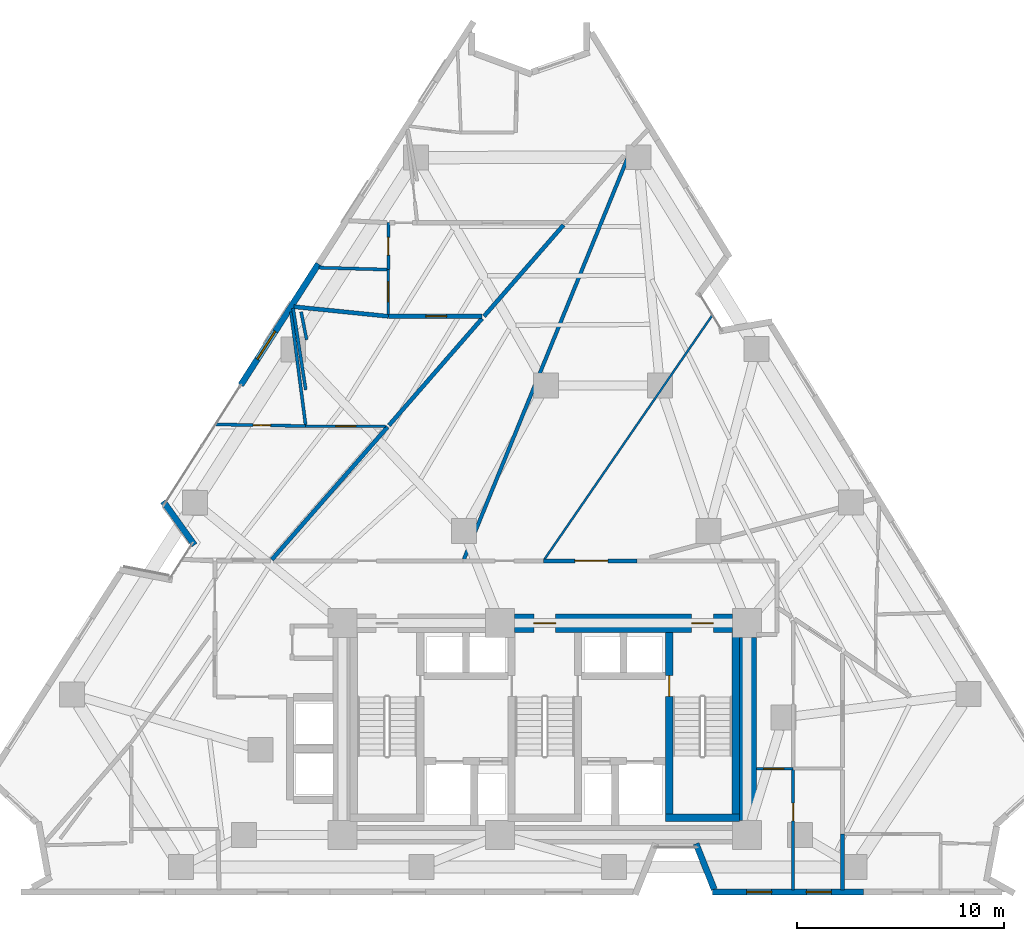
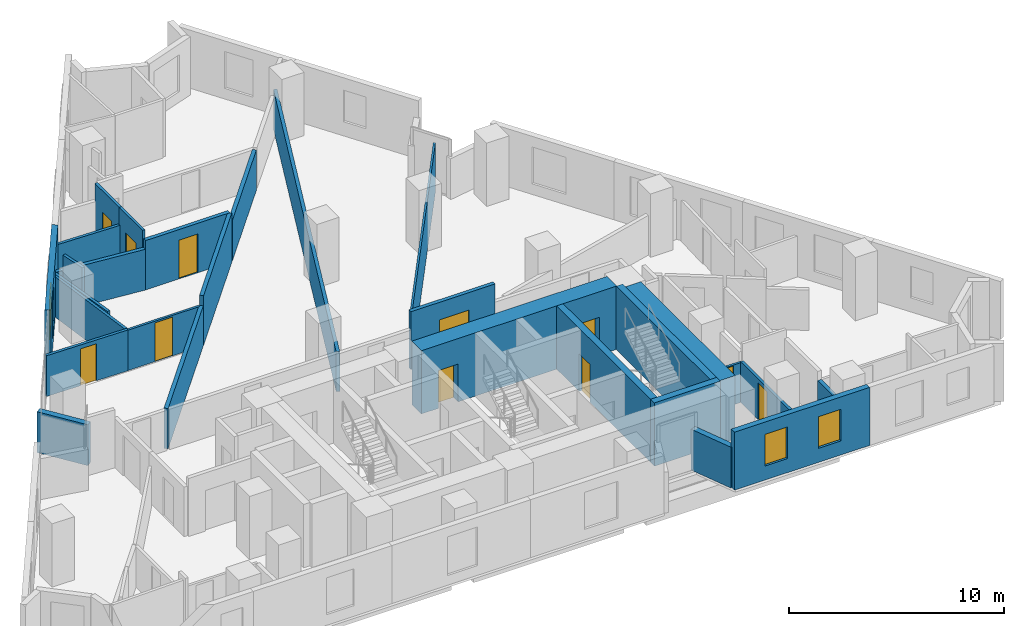
# One storey, part 8 of 13: 28 walls, 11 doors, 3 windows, 14 openings.
"""IFC4 building model written with IfcOpenShell, lengths in metres."""

from ifc_helpers import new_model, si_unit, direction, frame, frame_2d, origin, place, context, subcontext, project, spatial, rectangle, extrude, material, layer, layer_set, type_object, element, fill, save


model = new_model("IFC4")

# Units and contexts
model_context = context("Model", 3, precision=1e-05, world=origin(), true_north=direction((0.0, 1.0)))
body_context = subcontext(model_context, "Body", "Model", "MODEL_VIEW")
ifc_project = project(units=[si_unit("LENGTHUNIT", "METRE"), si_unit("AREAUNIT", "SQUARE_METRE"), si_unit("VOLUMEUNIT", "CUBIC_METRE"), si_unit("PLANEANGLEUNIT", "RADIAN"), si_unit("MASSUNIT", "GRAM", prefix="KILO")], contexts=[model_context])

# Site, building, storey
site_placement = place(None, origin())
site = spatial("IfcSite", under=ifc_project, at=site_placement, CompositionType="ELEMENT")
building_placement = place(site_placement, origin())
building = spatial("IfcBuilding", under=site, at=building_placement, Name="Almagre Mirador Tower", CompositionType="ELEMENT")
storey_placement = place(building_placement, frame((0.0, 0.0, 96.60009765625)))
storey = spatial("IfcBuildingStorey", under=building, at=storey_placement, Name="L24", CompositionType="ELEMENT", Elevation=96.60009765625)

# Wall
ifc_material_1 = material(Name="Precast concrete C50/60", Category="concrete")
ifc_layer_1 = layer(ifc_material_1, 0.300048828125)
ifc_layer_set_1 = layer_set([ifc_layer_1], Name="Precast concrete C50/60")
wall_type_1 = type_object("IfcWallType", Name="WAL-EXT-300", PredefinedType="SOLIDWALL", material=ifc_layer_set_1)
wall_1_placement = place(storey_placement, frame((20.41748046875, 18.515380859375, 0.0), z_axis=(0.0, 0.0, 1.0), x_axis=(-0.582937596749, 0.812516928006, 0.0)))
element("IfcWall", 1, at=wall_1_placement, inside=storey, type_object=wall_type_1, Name="L24 expressed almagre precast frame wall 02", PredefinedType="SOLIDWALL", context=body_context, shape_type="SweptSolid", body=[
    extrude(rectangle(XDim=2.59375, YDim=0.300048828125, at=frame_2d((1.296875, 0.0))), origin(), (0.0, 0.0, 1.0), 2.324951171875),
])

# Wall, opening, window
wall_2_placement = place(storey_placement, frame((22.6513671875, 26.228271484375, 0.0), z_axis=(0.0, 0.0, 1.0), x_axis=(0.539459372932, 0.842011629941, 0.0)))
wall_2 = element("IfcWall", 2, at=wall_2_placement, inside=storey, type_object=wall_type_1, Name="L24 expressed almagre precast frame wall 03", PredefinedType="SOLIDWALL", context=body_context, shape_type="SweptSolid", body=[
    extrude(rectangle(XDim=6.932373046875, YDim=0.300048828125, at=frame_2d((3.46630859375, 0.0))), origin(), (0.0, 0.0, 1.0), 3.2998046875),
])
opening_1_placement = place(wall_2_placement, frame((1.47509765625, 0.0, 0.550048828125)))
opening_1 = element("IfcOpeningElement", 3, at=opening_1_placement, cuts=wall_2, Name="Opening WN-06", PredefinedType="OPENING", context=body_context, shape_type="SweptSolid", body=[
    extrude(rectangle(XDim=1.60009765625, YDim=2.199951171875, at=frame_2d((0.800048828125, 1.10009765625))), frame((0.0, 0.159902, 0.0), z_axis=(0.0, -1.0, 0.0), x_axis=(1.0, 0.0, 0.0)), (0.0, 0.0, 1.0), 0.320049),
])
ifc_material_2 = material(Name="Dark solar-control laminated hurricane glass", Category="glass")
window_type_1 = type_object("IfcWindowType", Name="WIN-1600X2200", PartitioningType="DOUBLE_PANEL_VERTICAL", PredefinedType="WINDOW", material=ifc_material_2)
window_1_placement = place(opening_1_placement, origin())
window_1 = element("IfcWindow", 4, at=window_1_placement, inside=storey, type_object=window_type_1, Name="L24 recessed hurricane window L24-UG-BT", OverallHeight=2.199951171875, OverallWidth=1.60009765625, PartitioningType="SINGLE_PANEL", PredefinedType="WINDOW", context=body_context, shape_type="SweptSolid", body=[
    extrude(rectangle(XDim=1.60009765625, YDim=2.199951171875, at=frame_2d((0.800048828125, 1.10009765625))), frame((0.0, 0.030029296875, 0.0), z_axis=(0.0, -1.0, 0.0), x_axis=(1.0, 0.0, 0.0)), (0.0, 0.0, 1.0), 0.06005859375),
])
fill(opening_1, window_1)

# Wall, openings, windows
wall_3_placement = place(storey_placement, frame((52.657958984375, 1.800048828125, 0.0), z_axis=(0.0, 0.0, 1.0), x_axis=(-1.0, 0.0, 0.0)))
wall_3 = element("IfcWall", 5, at=wall_3_placement, inside=storey, type_object=wall_type_1, Name="L24 expressed almagre precast frame wall 23", PredefinedType="SOLIDWALL", context=body_context, shape_type="SweptSolid", body=[
    extrude(rectangle(XDim=7.281982421875, YDim=0.300048828125, at=frame_2d((3.64111328125, 0.0))), origin(), (0.0, 0.0, 1.0), 3.2998046875),
])
opening_2_placement = place(wall_3_placement, frame((1.550048828125, 0.0, 0.800048828125)))
opening_2 = element("IfcOpeningElement", 6, at=opening_2_placement, cuts=wall_3, Name="Opening WN-04", PredefinedType="OPENING", context=body_context, shape_type="SweptSolid", body=[
    extrude(rectangle(XDim=1.199951171875, YDim=1.800048828125, at=frame_2d((0.60009765625, 0.89990234375))), frame((0.0, 0.159902, 0.0), z_axis=(0.0, -1.0, 0.0), x_axis=(1.0, 0.0, 0.0)), (0.0, 0.0, 1.0), 0.320049),
])
opening_3_placement = place(wall_3_placement, frame((4.425048828125, 0.0, 0.800048828125)))
opening_3 = element("IfcOpeningElement", 7, at=opening_3_placement, cuts=wall_3, Name="Opening WN-04", PredefinedType="OPENING", context=body_context, shape_type="SweptSolid", body=[
    extrude(rectangle(XDim=1.199951171875, YDim=1.800048828125, at=frame_2d((0.60009765625, 0.89990234375))), frame((0.0, 0.159902, 0.0), z_axis=(0.0, -1.0, 0.0), x_axis=(1.0, 0.0, 0.0)), (0.0, 0.0, 1.0), 0.320049),
])
ifc_material_3 = material(Name="Dark solar-control laminated hurricane glass", Category="glass")
window_type_2 = type_object("IfcWindowType", Name="WIN-1200X1800", PartitioningType="SINGLE_PANEL", PredefinedType="WINDOW", material=ifc_material_3)
window_2_placement = place(opening_2_placement, origin())
window_2 = element("IfcWindow", 8, at=window_2_placement, inside=storey, type_object=window_type_2, Name="L24 recessed hurricane window L24-UC-BT", OverallHeight=1.800048828125, OverallWidth=1.199951171875, PartitioningType="SINGLE_PANEL", PredefinedType="WINDOW", context=body_context, shape_type="SweptSolid", body=[
    extrude(rectangle(XDim=1.199951171875, YDim=1.800048828125, at=frame_2d((0.60009765625, 0.89990234375))), frame((0.0, 0.030029296875, 0.0), z_axis=(0.0, -1.0, 0.0), x_axis=(1.0, 0.0, 0.0)), (0.0, 0.0, 1.0), 0.06005859375),
])
fill(opening_2, window_2)
window_3_placement = place(opening_3_placement, origin())
window_3 = element("IfcWindow", 9, at=window_3_placement, inside=storey, type_object=window_type_2, Name="L24 recessed hurricane window L24-UC-KT", OverallHeight=1.800048828125, OverallWidth=1.199951171875, PartitioningType="SINGLE_PANEL", PredefinedType="WINDOW", context=body_context, shape_type="SweptSolid", body=[
    extrude(rectangle(XDim=1.199951171875, YDim=1.800048828125, at=frame_2d((0.60009765625, 0.89990234375))), frame((0.0, 0.030029296875, 0.0), z_axis=(0.0, -1.0, 0.0), x_axis=(1.0, 0.0, 0.0)), (0.0, 0.0, 1.0), 0.06005859375),
])
fill(opening_3, window_3)

# Walls
wall_4_placement = place(storey_placement, frame((45.466064453125, 1.92529296875, 0.0), z_axis=(0.0, 0.0, 1.0), x_axis=(-0.36946923074, 0.92924296475, 0.0)))
element("IfcWall", 10, at=wall_4_placement, inside=storey, type_object=wall_type_1, Name="L24 expressed almagre precast frame wall 24", PredefinedType="SOLIDWALL", context=body_context, shape_type="SweptSolid", body=[
    extrude(rectangle(XDim=2.366943359375, YDim=0.300048828125, at=frame_2d((1.18359375, 0.0))), origin(), (0.0, 0.0, 1.0), 2.324951171875),
])
ifc_material_4 = material(Name="Gypsum acoustic stud partition", Category="other")
ifc_layer_2 = layer(ifc_material_4, 0.10009765625)
ifc_layer_set_2 = layer_set([ifc_layer_2], Name="Gypsum acoustic stud partition")
wall_type_2 = type_object("IfcWallType", Name="WAL-PRT-100-CLS", PredefinedType="PARTITIONING", material=ifc_layer_set_2)
wall_5_placement = place(storey_placement, frame((45.384033203125, 29.60595703125, 0.0), z_axis=(0.0, 0.0, 1.0), x_axis=(-0.566667167999, -0.823946794831, 0.0)))
element("IfcWall", 11, at=wall_5_placement, inside=storey, type_object=wall_type_2, Name="L24 interior partition 047", PredefinedType="PARTITIONING", context=body_context, shape_type="SweptSolid", body=[
    extrude(rectangle(XDim=14.30419921875, YDim=0.10009765625, at=frame_2d((7.152099609375, 0.0))), origin(), (0.0, 0.0, 1.0), 2.809814453125),
])

# Wall, opening, door
ifc_material_5 = material(Name="Gypsum acoustic stud partition", Category="other")
ifc_layer_3 = layer(ifc_material_5, 0.125)
ifc_layer_set_3 = layer_set([ifc_layer_3], Name="Gypsum acoustic stud partition")
wall_type_3 = type_object("IfcWallType", Name="WAL-PRT-125-UTL", PredefinedType="PARTITIONING", material=ifc_layer_set_3)
wall_6_placement = place(storey_placement, frame((47.5, 7.739990234375, 0.0), z_axis=(0.0, 0.0, 1.0), x_axis=(1.0, 0.0, 0.0)))
wall_6 = element("IfcWall", 12, at=wall_6_placement, inside=storey, type_object=wall_type_3, Name="L24 interior partition 017", PredefinedType="PARTITIONING", context=body_context, shape_type="SweptSolid", body=[
    extrude(rectangle(XDim=1.77001953125, YDim=0.125, at=frame_2d((0.885009765625, 0.0))), origin(), (0.0, 0.0, 1.0), 2.2587890625),
])
opening_4_placement = place(wall_6_placement, frame((0.35595703125, 0.0, 0.0)))
opening_4 = element("IfcOpeningElement", 13, at=opening_4_placement, cuts=wall_6, Name="Opening UD-01", PredefinedType="OPENING", context=body_context, shape_type="SweptSolid", body=[
    extrude(rectangle(XDim=0.949951171875, YDim=2.199951171875, at=frame_2d((0.47509765625, 1.10009765625))), frame((0.0, 0.0725, 0.0), z_axis=(0.0, -1.0, 0.0), x_axis=(1.0, 0.0, 0.0)), (0.0, 0.0, 1.0), 0.145),
])
ifc_material_6 = material(Name="Solid American walnut timber", Category="wood")
door_type_1 = type_object("IfcDoorType", Name="DOR-UNR-950X2200", OperationType="NOTDEFINED", PredefinedType="DOOR", material=ifc_material_6)
door_1_placement = place(opening_4_placement, origin())
door_1 = element("IfcDoor", 14, at=door_1_placement, inside=storey, type_object=door_type_1, Name="DR-0817 L24 interior door L24-UC-LV to L24-UC-KT", OperationType="SINGLE_SWING_RIGHT", OverallHeight=2.199951171875, OverallWidth=0.949951171875, PredefinedType="DOOR", context=body_context, shape_type="SweptSolid", body=[
    extrude(rectangle(XDim=0.949951171875, YDim=2.199951171875, at=frame_2d((0.47509765625, 1.10009765625))), frame((0.0, 0.02490234375, 0.0), z_axis=(0.0, -1.0, 0.0), x_axis=(1.0, 0.0, 0.0)), (0.0, 0.0, 1.0), 0.050048828125),
])
fill(opening_4, door_1)

wall_7_placement = place(storey_placement, frame((29.635009765625, 24.25, 0.0), z_axis=(0.0, 0.0, 1.0), x_axis=(-1.0, 0.0, 0.0)))
wall_7 = element("IfcWall", 15, at=wall_7_placement, inside=storey, type_object=wall_type_3, Name="L24 interior partition 038", PredefinedType="PARTITIONING", context=body_context, shape_type="SweptSolid", body=[
    extrude(rectangle(XDim=3.85498046875, YDim=0.125, at=frame_2d((1.927490234375, 0.0))), origin(), (0.0, 0.0, 1.0), 2.294921875),
])
opening_5_placement = place(wall_7_placement, frame((1.44970703125, 0.0, 0.0)))
opening_5 = element("IfcOpeningElement", 16, at=opening_5_placement, cuts=wall_7, Name="Opening UD-01", PredefinedType="OPENING", context=body_context, shape_type="SweptSolid", body=[
    extrude(rectangle(XDim=0.949951171875, YDim=2.199951171875, at=frame_2d((0.47509765625, 1.10009765625))), frame((0.0, 0.0725, 0.0), z_axis=(0.0, -1.0, 0.0), x_axis=(1.0, 0.0, 0.0)), (0.0, 0.0, 1.0), 0.145),
])
door_2_placement = place(opening_5_placement, origin())
door_2 = element("IfcDoor", 17, at=door_2_placement, inside=storey, type_object=door_type_1, Name="DR-0826 L24 interior door L24-UG-ST to L24-UG-KT", OperationType="SINGLE_SWING_LEFT", OverallHeight=2.199951171875, OverallWidth=0.949951171875, PredefinedType="DOOR", context=body_context, shape_type="SweptSolid", body=[
    extrude(rectangle(XDim=0.949951171875, YDim=2.199951171875, at=frame_2d((0.47509765625, 1.10009765625))), frame((0.0, 0.02490234375, 0.0), z_axis=(0.0, -1.0, 0.0), x_axis=(1.0, 0.0, 0.0)), (0.0, 0.0, 1.0), 0.050048828125),
])
fill(opening_5, door_2)

wall_8_placement = place(storey_placement, frame((29.760009765625, 31.7900390625, 0.0), z_axis=(0.0, 0.0, 1.0), x_axis=(0.0, -1.0, 0.0)))
wall_8 = element("IfcWall", 18, at=wall_8_placement, inside=storey, type_object=wall_type_3, Name="L24 interior partition 048", PredefinedType="PARTITIONING", context=body_context, shape_type="SweptSolid", body=[
    extrude(rectangle(XDim=2.1650390625, YDim=0.125, at=frame_2d((1.08251953125, 0.0))), origin(), (0.0, 0.0, 1.0), 3.2998046875),
])
opening_6_placement = place(wall_8_placement, frame((0.59326171875, 0.0, 0.0)))
opening_6 = element("IfcOpeningElement", 19, at=opening_6_placement, cuts=wall_8, Name="Opening UD-01", PredefinedType="OPENING", context=body_context, shape_type="SweptSolid", body=[
    extrude(rectangle(XDim=0.949951171875, YDim=2.199951171875, at=frame_2d((0.47509765625, 1.10009765625))), frame((0.0, 0.0725, 0.0), z_axis=(0.0, -1.0, 0.0), x_axis=(1.0, 0.0, 0.0)), (0.0, 0.0, 1.0), 0.145),
])
door_3_placement = place(opening_6_placement, origin())
door_3 = element("IfcDoor", 20, at=door_3_placement, inside=storey, type_object=door_type_1, Name="DR-0828 L24 interior door L24-UK-ST to L24-UK-KT", OperationType="SINGLE_SWING_LEFT", OverallHeight=2.199951171875, OverallWidth=0.949951171875, PredefinedType="DOOR", context=body_context, shape_type="SweptSolid", body=[
    extrude(rectangle(XDim=0.949951171875, YDim=2.199951171875, at=frame_2d((0.47509765625, 1.10009765625))), frame((0.0, 0.02490234375, 0.0), z_axis=(0.0, -1.0, 0.0), x_axis=(1.0, 0.0, 0.0)), (0.0, 0.0, 1.0), 0.050048828125),
])
fill(opening_6, door_3)

ifc_material_7 = material(Name="Gypsum acoustic stud partition", Category="other")
ifc_layer_4 = layer(ifc_material_7, 0.14990234375)
ifc_layer_set_4 = layer_set([ifc_layer_4], Name="Gypsum acoustic stud partition")
wall_type_4 = type_object("IfcWallType", Name="WAL-PRT-150-STD", PredefinedType="PARTITIONING", material=ifc_layer_set_4)
wall_9_placement = place(storey_placement, frame((49.27001953125, 7.6923828125, 0.0), z_axis=(0.0, 0.0, 1.0), x_axis=(0.0, -1.0, 0.0)))
wall_9 = element("IfcWall", 21, at=wall_9_placement, inside=storey, type_object=wall_type_4, Name="L24 interior partition 020", PredefinedType="PARTITIONING", context=body_context, shape_type="SweptSolid", body=[
    extrude(rectangle(XDim=5.79248046875, YDim=0.14990234375, at=frame_2d((2.896240234375, 0.0))), origin(), (0.0, 0.0, 1.0), 2.31982421875),
])
opening_7_placement = place(wall_9_placement, frame((1.61767578125, 0.0, 0.0)))
opening_7 = element("IfcOpeningElement", 22, at=opening_7_placement, cuts=wall_9, Name="Opening UD-04", PredefinedType="OPENING", context=body_context, shape_type="SweptSolid", body=[
    extrude(rectangle(XDim=0.85009765625, YDim=2.10009765625, at=frame_2d((0.425048828125, 1.050048828125))), frame((0.0, 0.084951, 0.0), z_axis=(0.0, -1.0, 0.0), x_axis=(1.0, 0.0, 0.0)), (0.0, 0.0, 1.0), 0.169902),
])
ifc_material_8 = material(Name="Moisture-resistant oak timber", Category="wood")
door_type_2 = type_object("IfcDoorType", Name="DOR-UNR-850X2100", OperationType="NOTDEFINED", PredefinedType="DOOR", material=ifc_material_8)
door_4_placement = place(opening_7_placement, origin())
door_4 = element("IfcDoor", 23, at=door_4_placement, inside=storey, type_object=door_type_2, Name="DR-0818 L24 interior door L24-UC-BT to L24-UC-KT", OperationType="SINGLE_SWING_LEFT", OverallHeight=2.10009765625, OverallWidth=0.85009765625, PredefinedType="DOOR", context=body_context, shape_type="SweptSolid", body=[
    extrude(rectangle(XDim=0.85009765625, YDim=2.10009765625, at=frame_2d((0.425048828125, 1.050048828125))), frame((0.0, 0.02490234375, 0.0), z_axis=(0.0, -1.0, 0.0), x_axis=(1.0, 0.0, 0.0)), (0.0, 0.0, 1.0), 0.050048828125),
])
fill(opening_7, door_4)

wall_10_placement = place(storey_placement, frame((25.780029296875, 24.25, 0.0), z_axis=(0.0, 0.0, 1.0), x_axis=(-0.999830209467, 0.018426943232, 0.0)))
wall_10 = element("IfcWall", 24, at=wall_10_placement, inside=storey, type_object=wall_type_4, Name="L24 interior partition 037", PredefinedType="PARTITIONING", context=body_context, shape_type="SweptSolid", body=[
    extrude(rectangle(XDim=4.345703125, YDim=0.14990234375, at=frame_2d((2.1728515625, 0.0))), origin(), (0.0, 0.0, 1.0), 2.31982421875),
])
opening_8_placement = place(wall_10_placement, frame((1.688232421875, 0.0, 0.0)))
opening_8 = element("IfcOpeningElement", 25, at=opening_8_placement, cuts=wall_10, Name="Opening UD-04", PredefinedType="OPENING", context=body_context, shape_type="SweptSolid", body=[
    extrude(rectangle(XDim=0.85009765625, YDim=2.10009765625, at=frame_2d((0.425048828125, 1.050048828125))), frame((0.0, 0.084951, 0.0), z_axis=(0.0, -1.0, 0.0), x_axis=(1.0, 0.0, 0.0)), (0.0, 0.0, 1.0), 0.169902),
])
door_5_placement = place(opening_8_placement, origin())
door_5 = element("IfcDoor", 26, at=door_5_placement, inside=storey, type_object=door_type_2, Name="DR-0827 L24 interior door L24-UG-ST to L24-UG-BT", OperationType="SINGLE_SWING_RIGHT", OverallHeight=2.10009765625, OverallWidth=0.85009765625, PredefinedType="DOOR", context=body_context, shape_type="SweptSolid", body=[
    extrude(rectangle(XDim=0.85009765625, YDim=2.10009765625, at=frame_2d((0.425048828125, 1.050048828125))), frame((0.0, 0.02490234375, 0.0), z_axis=(0.0, -1.0, 0.0), x_axis=(1.0, 0.0, 0.0)), (0.0, 0.0, 1.0), 0.050048828125),
])
fill(opening_8, door_5)

# Wall
wall_11_placement = place(storey_placement, frame((25.772705078125, 24.3095703125, 0.0), z_axis=(0.0, 0.0, 1.0), x_axis=(-0.128542691679, 0.991703976203, 0.0)))
element("IfcWall", 27, at=wall_11_placement, inside=storey, type_object=wall_type_4, Name="L24 interior partition 040", PredefinedType="PARTITIONING", context=body_context, shape_type="SweptSolid", body=[
    extrude(rectangle(XDim=5.490966796875, YDim=0.14990234375, at=frame_2d((2.74560546875, 0.0))), origin(), (0.0, 0.0, 1.0), 2.294921875),
])

# Wall, opening, door
wall_12_placement = place(storey_placement, frame((29.760009765625, 34.050048828125, 0.0), z_axis=(0.0, 0.0, 1.0), x_axis=(0.0, -1.0, 0.0)))
wall_12 = element("IfcWall", 28, at=wall_12_placement, inside=storey, type_object=wall_type_4, Name="L24 interior partition 049", PredefinedType="PARTITIONING", context=body_context, shape_type="SweptSolid", body=[
    extrude(rectangle(XDim=2.260009765625, YDim=0.14990234375, at=frame_2d((1.1298828125, 0.0))), origin(), (0.0, 0.0, 1.0), 3.2998046875),
])
opening_9_placement = place(wall_12_placement, frame((0.705078125, 0.0, 0.0)))
opening_9 = element("IfcOpeningElement", 29, at=opening_9_placement, cuts=wall_12, Name="Opening UD-04", PredefinedType="OPENING", context=body_context, shape_type="SweptSolid", body=[
    extrude(rectangle(XDim=0.85009765625, YDim=2.10009765625, at=frame_2d((0.425048828125, 1.050048828125))), frame((0.0, 0.084951, 0.0), z_axis=(0.0, -1.0, 0.0), x_axis=(1.0, 0.0, 0.0)), (0.0, 0.0, 1.0), 0.169902),
])
door_6_placement = place(opening_9_placement, origin())
door_6 = element("IfcDoor", 30, at=door_6_placement, inside=storey, type_object=door_type_2, Name="DR-0829 L24 interior door L24-UK-ST to L24-UK-BT", OperationType="SINGLE_SWING_RIGHT", OverallHeight=2.10009765625, OverallWidth=0.85009765625, PredefinedType="DOOR", context=body_context, shape_type="SweptSolid", body=[
    extrude(rectangle(XDim=0.85009765625, YDim=2.10009765625, at=frame_2d((0.425048828125, 1.050048828125))), frame((0.0, 0.02490234375, 0.0), z_axis=(0.0, -1.0, 0.0), x_axis=(1.0, 0.0, 0.0)), (0.0, 0.0, 1.0), 0.050048828125),
])
fill(opening_9, door_6)

# Walls
wall_13_placement = place(storey_placement, frame((29.71240234375, 31.791015625, 0.0), z_axis=(0.0, 0.0, 1.0), x_axis=(-0.999593715249, 0.028502709256, 0.0)))
element("IfcWall", 31, at=wall_13_placement, inside=storey, type_object=wall_type_4, Name="L24 interior partition 052", PredefinedType="PARTITIONING", context=body_context, shape_type="SweptSolid", body=[
    extrude(rectangle(XDim=3.297607421875, YDim=0.14990234375, at=frame_2d((1.64892578125, 0.0))), origin(), (0.0, 0.0, 1.0), 2.31982421875),
])
wall_14_placement = place(storey_placement, frame((25.780029296875, 25.993896484375, 0.0), z_axis=(0.0, 0.0, 1.0), x_axis=(-0.153139237814, 0.988204621443, 0.0)))
element("IfcWall", 32, at=wall_14_placement, inside=storey, type_object=wall_type_4, Name="L24 interior partition 063", PredefinedType="PARTITIONING", context=body_context, shape_type="SweptSolid", body=[
    extrude(rectangle(XDim=3.98388671875, YDim=0.14990234375, at=frame_2d((1.991943359375, 0.0))), origin(), (0.0, 0.0, 1.0), 2.294921875),
])
wall_15_placement = place(storey_placement, frame((25.822509765625, 28.4130859375, 0.0), z_axis=(0.0, 0.0, 1.0), x_axis=(-0.193714356302, 0.981057973905, 0.0)))
element("IfcWall", 33, at=wall_15_placement, inside=storey, type_object=wall_type_4, Name="L24 interior partition 901", PredefinedType="PARTITIONING", context=body_context, shape_type="SweptSolid", body=[
    extrude(rectangle(XDim=1.36865234375, YDim=0.14990234375, at=frame_2d((0.684326171875, 0.0))), origin(), (0.0, 0.0, 1.0), 3.2998046875),
])
ifc_material_9 = material(Name="Gypsum acoustic stud partition", Category="other")
ifc_layer_5 = layer(ifc_material_9, 0.175048828125)
ifc_layer_set_5 = layer_set([ifc_layer_5], Name="Gypsum acoustic stud partition")
wall_type_5 = type_object("IfcWallType", Name="WAL-PRT-175-AC", PredefinedType="PARTITIONING", material=ifc_layer_set_5)
wall_16_placement = place(storey_placement, frame((33.402099609375, 17.82861328125, 0.0), z_axis=(0.0, 0.0, 1.0), x_axis=(0.377767569575, 0.925900460837, 0.0)))
element("IfcWall", 34, at=wall_16_placement, inside=storey, type_object=wall_type_5, Name="L24 interior partition 045", PredefinedType="PARTITIONING", context=body_context, shape_type="SweptSolid", body=[
    extrude(rectangle(XDim=21.515625, YDim=0.175048828125, at=frame_2d((10.7578125, 0.0))), origin(), (0.0, 0.0, 1.0), 2.2587890625),
])

# Wall, opening, door
ifc_material_10 = material(Name="Gypsum acoustic stud partition", Category="other")
ifc_layer_6 = layer(ifc_material_10, 0.199951171875)
ifc_layer_set_6 = layer_set([ifc_layer_6], Name="Gypsum acoustic stud partition")
wall_type_6 = type_object("IfcWallType", Name="WAL-PRT-200-EI60", PredefinedType="PARTITIONING", material=ifc_layer_set_6)
wall_17_placement = place(storey_placement, frame((41.75, 17.75, 0.0), z_axis=(0.0, 0.0, 1.0), x_axis=(-1.0, 0.0, 0.0)))
wall_17 = element("IfcWall", 35, at=wall_17_placement, inside=storey, type_object=wall_type_6, Name="L24 interior partition 010", PredefinedType="PARTITIONING", context=body_context, shape_type="SweptSolid", body=[
    extrude(rectangle(XDim=4.52001953125, YDim=0.199951171875, at=frame_2d((2.260009765625, 0.0))), origin(), (0.0, 0.0, 1.0), 3.2998046875),
])
opening_10_placement = place(wall_17_placement, frame((1.402587890625, 0.0, 0.0)))
opening_10 = element("IfcOpeningElement", 36, at=opening_10_placement, cuts=wall_17, Name="Opening ID-05", PredefinedType="OPENING", context=body_context, shape_type="SweptSolid", body=[
    extrude(rectangle(XDim=1.60009765625, YDim=2.300048828125, at=frame_2d((0.800048828125, 1.14990234375))), frame((0.0, 0.110098, 0.0), z_axis=(0.0, -1.0, 0.0), x_axis=(1.0, 0.0, 0.0)), (0.0, 0.0, 1.0), 0.219951),
])
ifc_material_11 = material(Name="Fire-rated acoustic timber", Category="wood")
door_type_3 = type_object("IfcDoorType", Name="DOR-FD60-1600X2300", OperationType="DOUBLE_DOOR_SINGLE_SWING", PredefinedType="DOOR", material=ifc_material_11)
door_7_placement = place(opening_10_placement, origin())
door_7 = element("IfcDoor", 37, at=door_7_placement, inside=storey, type_object=door_type_3, Name="DR-0812 L24 interior door L24-RCOR to L24-RST-J", OperationType="DOUBLE_DOOR_SINGLE_SWING", OverallHeight=2.300048828125, OverallWidth=1.60009765625, PredefinedType="DOOR", context=body_context, shape_type="SweptSolid", body=[
    extrude(rectangle(XDim=1.60009765625, YDim=2.300048828125, at=frame_2d((0.800048828125, 1.14990234375))), frame((0.0, 0.02490234375, 0.0), z_axis=(0.0, -1.0, 0.0), x_axis=(1.0, 0.0, 0.0)), (0.0, 0.0, 1.0), 0.050048828125),
])
fill(opening_10, door_7)

# Walls
wall_18_placement = place(storey_placement, frame((51.64990234375, 1.89990234375, 0.0), z_axis=(0.0, 0.0, 1.0), x_axis=(0.0, 1.0, 0.0)))
element("IfcWall", 38, at=wall_18_placement, inside=storey, type_object=wall_type_6, Name="L24 interior partition 023", PredefinedType="PARTITIONING", context=body_context, shape_type="SweptSolid", body=[
    extrude(rectangle(XDim=2.690185546875, YDim=0.199951171875, at=frame_2d((1.34521484375, 0.0))), origin(), (0.0, 0.0, 1.0), 2.294921875),
])
wall_19_placement = place(storey_placement, frame((24.14599609375, 17.814208984375, 0.0), z_axis=(0.0, 0.0, 1.0), x_axis=(0.657360068694, 0.75357663186, 0.0)))
element("IfcWall", 39, at=wall_19_placement, inside=storey, type_object=wall_type_6, Name="L24 interior partition 039", PredefinedType="PARTITIONING", context=body_context, shape_type="SweptSolid", body=[
    extrude(rectangle(XDim=8.49267578125, YDim=0.199951171875, at=frame_2d((4.246337890625, 0.0))), origin(), (0.0, 0.0, 1.0), 2.294921875),
])
wall_20_placement = place(storey_placement, frame((29.791259765625, 24.285888671875, 0.0), z_axis=(0.0, 0.0, 1.0), x_axis=(0.656986124128, 0.753902667924, 0.0)))
element("IfcWall", 40, at=wall_20_placement, inside=storey, type_object=wall_type_6, Name="L24 interior partition 041", PredefinedType="PARTITIONING", context=body_context, shape_type="SweptSolid", body=[
    extrude(rectangle(XDim=6.82421875, YDim=0.199951171875, at=frame_2d((3.412109375, 0.0))), origin(), (0.0, 0.0, 1.0), 2.809814453125),
])

# Wall, opening, door
wall_21_placement = place(storey_placement, frame((34.284912109375, 29.5400390625, 0.0), z_axis=(0.0, 0.0, 1.0), x_axis=(-1.0, 0.0, 0.0)))
wall_21 = element("IfcWall", 41, at=wall_21_placement, inside=storey, type_object=wall_type_6, Name="L24 interior partition 042", PredefinedType="PARTITIONING", context=body_context, shape_type="SweptSolid", body=[
    extrude(rectangle(XDim=4.52490234375, YDim=0.199951171875, at=frame_2d((2.262451171875, 0.0))), origin(), (0.0, 0.0, 1.0), 2.809814453125),
])
opening_11_placement = place(wall_21_placement, frame((1.719970703125, 0.0, 0.0)))
opening_11 = element("IfcOpeningElement", 42, at=opening_11_placement, cuts=wall_21, Name="Opening ID-01", PredefinedType="OPENING", context=body_context, shape_type="SweptSolid", body=[
    extrude(rectangle(XDim=1.0, YDim=2.199951171875, at=frame_2d((0.5, 1.10009765625))), frame((0.0, 0.110098, 0.0), z_axis=(0.0, -1.0, 0.0), x_axis=(1.0, 0.0, 0.0)), (0.0, 0.0, 1.0), 0.219951),
])
ifc_material_12 = material(Name="Fire-rated walnut timber", Category="wood")
door_type_4 = type_object("IfcDoorType", Name="DOR-FD60-1000X2200", OperationType="NOTDEFINED", PredefinedType="DOOR", material=ifc_material_12)
door_8_placement = place(opening_11_placement, origin())
door_8 = element("IfcDoor", 43, at=door_8_placement, inside=storey, type_object=door_type_4, Name="DR-0835 L24 interior door L24-UG-KT to L24-UK-ST", OperationType="SINGLE_SWING_RIGHT", OverallHeight=2.199951171875, OverallWidth=1.0, PredefinedType="DOOR", context=body_context, shape_type="SweptSolid", body=[
    extrude(rectangle(XDim=1.0, YDim=2.199951171875, at=frame_2d((0.5, 1.10009765625))), frame((0.0, 0.02490234375, 0.0), z_axis=(0.0, -1.0, 0.0), x_axis=(1.0, 0.0, 0.0)), (0.0, 0.0, 1.0), 0.050048828125),
])
fill(opening_11, door_8)

# Walls
wall_22_placement = place(storey_placement, frame((29.760009765625, 29.5400390625, 0.0), z_axis=(0.0, 0.0, 1.0), x_axis=(-0.994888667237, 0.100977917408, 0.0)))
element("IfcWall", 44, at=wall_22_placement, inside=storey, type_object=wall_type_6, Name="L24 interior partition 043", PredefinedType="PARTITIONING", context=body_context, shape_type="SweptSolid", body=[
    extrude(rectangle(XDim=4.574462890625, YDim=0.199951171875, at=frame_2d((2.287109375, 0.0))), origin(), (0.0, 0.0, 1.0), 2.31982421875),
])
wall_23_placement = place(storey_placement, frame((38.20458984375, 33.940673828125, 0.0), z_axis=(0.0, 0.0, 1.0), x_axis=(-0.656942619395, -0.753940577779, 0.0)))
element("IfcWall", 45, at=wall_23_placement, inside=storey, type_object=wall_type_6, Name="L24 interior partition 044", PredefinedType="PARTITIONING", context=body_context, shape_type="SweptSolid", body=[
    extrude(rectangle(XDim=5.8369140625, YDim=0.199951171875, at=frame_2d((2.91845703125, 0.0))), origin(), (0.0, 0.0, 1.0), 2.294921875),
])

# Wall, opening, door
ifc_material_13 = material(Name="Concrete C60/75", Category="concrete")
ifc_layer_7 = layer(ifc_material_13, 0.35009765625)
ifc_layer_set_7 = layer_set([ifc_layer_7], Name="Concrete C60/75")
wall_type_7 = type_object("IfcWallType", Name="WAL-SHF-350", PredefinedType="SOLIDWALL", material=ifc_layer_set_7)
wall_24_placement = place(storey_placement, frame((43.300048828125, 5.199951171875, 0.0), z_axis=(0.0, 0.0, 1.0), x_axis=(0.0, 1.0, 0.0)))
wall_24 = element("IfcWall", 46, at=wall_24_placement, inside=storey, type_object=wall_type_7, Name="L24 shaft wall ST3-W", PredefinedType="SOLIDWALL", context=body_context, shape_type="SweptSolid", body=[
    extrude(rectangle(XDim=9.10009765625, YDim=0.35009765625, at=frame_2d((4.550048828125, 0.0))), origin(), (0.0, 0.0, 1.0), 3.599853515625),
])
opening_12_placement = place(wall_24_placement, frame((6.02001953125, 0.0, 0.0)))
opening_12 = element("IfcOpeningElement", 47, at=opening_12_placement, cuts=wall_24, Name="Opening FD-01", PredefinedType="OPENING", context=body_context, shape_type="SweptSolid", body=[
    extrude(rectangle(XDim=1.0, YDim=2.14990234375, at=frame_2d((0.5, 1.074951171875))), frame((0.0, 0.185049, 0.0), z_axis=(0.0, -1.0, 0.0), x_axis=(1.0, 0.0, 0.0)), (0.0, 0.0, 1.0), 0.370098),
])
ifc_material_14 = material(Name="Fire-rated hollow steel", Category="steel")
door_type_5 = type_object("IfcDoorType", Name="DOR-FFL-1000X2150", OperationType="NOTDEFINED", PredefinedType="DOOR", material=ifc_material_14)
door_9_placement = place(opening_12_placement, origin())
door_9 = element("IfcDoor", 48, at=door_9_placement, inside=storey, type_object=door_type_5, Name="DR-0808 L24 FFL2-ST3 smokeproof door", OperationType="SINGLE_SWING_RIGHT", OverallHeight=2.14990234375, OverallWidth=1.0, PredefinedType="DOOR", context=body_context, shape_type="SweptSolid", body=[
    extrude(rectangle(XDim=1.0, YDim=2.14990234375, at=frame_2d((0.5, 1.074951171875))), frame((0.0, 0.02490234375, 0.0), z_axis=(0.0, -1.0, 0.0), x_axis=(1.0, 0.0, 0.0)), (0.0, 0.0, 1.0), 0.050048828125),
])
fill(opening_12, door_9)

# Walls
wall_25_placement = place(storey_placement, frame((46.5, 5.199951171875, 0.0), z_axis=(0.0, 0.0, 1.0), x_axis=(0.0, 1.0, 0.0)))
element("IfcWall", 49, at=wall_25_placement, inside=storey, type_object=wall_type_7, Name="L24 shaft wall ST3-E", PredefinedType="SOLIDWALL", context=body_context, shape_type="SweptSolid", body=[
    extrude(rectangle(XDim=9.10009765625, YDim=0.35009765625, at=frame_2d((4.550048828125, 0.0))), origin(), (0.0, 0.0, 1.0), 3.599853515625),
])
wall_26_placement = place(storey_placement, frame((43.125, 5.375, 0.0), z_axis=(0.0, 0.0, 1.0), x_axis=(1.0, 0.0, 0.0)))
element("IfcWall", 50, at=wall_26_placement, inside=storey, type_object=wall_type_7, Name="L24 shaft wall ST3-S", PredefinedType="SOLIDWALL", context=body_context, shape_type="SweptSolid", body=[
    extrude(rectangle(XDim=3.550048828125, YDim=0.35009765625, at=frame_2d((1.77490234375, 0.0))), origin(), (0.0, 0.0, 1.0), 3.599853515625),
])

# Wall, openings, doors
ifc_material_15 = material(Name="Concrete C70/85", Category="concrete")
ifc_layer_8 = layer(ifc_material_15, 0.89990234375)
ifc_layer_set_8 = layer_set([ifc_layer_8], Name="Concrete C70/85")
wall_type_8 = type_object("IfcWallType", Name="WAL-SHR-900", PredefinedType="SHEAR", material=ifc_layer_set_8)
wall_27_placement = place(storey_placement, frame((35.85009765625, 14.75, 0.0), z_axis=(0.0, 0.0, 1.0), x_axis=(1.0, 0.0, 0.0)))
wall_27 = element("IfcWall", 51, at=wall_27_placement, inside=storey, type_object=wall_type_8, Name="L24 core shear wall N2", PredefinedType="SHEAR", context=body_context, shape_type="SweptSolid", body=[
    extrude(rectangle(XDim=10.5, YDim=0.89990234375, at=frame_2d((5.25, 0.0))), origin(), (0.0, 0.0, 1.0), 3.599853515625),
])
opening_13_placement = place(wall_27_placement, frame((0.925048828125, 0.0, 0.0)))
opening_13 = element("IfcOpeningElement", 52, at=opening_13_placement, cuts=wall_27, Name="Opening SD-01", PredefinedType="OPENING", context=body_context, shape_type="SweptSolid", body=[
    extrude(rectangle(XDim=1.050048828125, YDim=2.14990234375, at=frame_2d((0.52490234375, 1.074951171875))), frame((0.0, 0.459951, 0.0), z_axis=(0.0, -1.0, 0.0), x_axis=(1.0, 0.0, 0.0)), (0.0, 0.0, 1.0), 0.919902),
])
opening_14_placement = place(wall_27_placement, frame((8.52490234375, 0.0, 0.0)))
opening_14 = element("IfcOpeningElement", 53, at=opening_14_placement, cuts=wall_27, Name="Opening SD-01", PredefinedType="OPENING", context=body_context, shape_type="SweptSolid", body=[
    extrude(rectangle(XDim=1.050048828125, YDim=2.14990234375, at=frame_2d((0.52490234375, 1.074951171875))), frame((0.0, 0.459951, 0.0), z_axis=(0.0, -1.0, 0.0), x_axis=(1.0, 0.0, 0.0)), (0.0, 0.0, 1.0), 0.919902),
])
ifc_material_16 = material(Name="Fire-rated hollow steel", Category="steel")
door_type_6 = type_object("IfcDoorType", Name="DOR-ST-1050X2150", OperationType="NOTDEFINED", PredefinedType="DOOR", material=ifc_material_16)
door_10_placement = place(opening_13_placement, origin())
door_10 = element("IfcDoor", 54, at=door_10_placement, inside=storey, type_object=door_type_6, Name="DR-0843 L24 protected exit stair ST-2 door", OperationType="SINGLE_SWING_RIGHT", OverallHeight=2.14990234375, OverallWidth=1.050048828125, PredefinedType="DOOR", context=body_context, shape_type="SweptSolid", body=[
    extrude(rectangle(XDim=1.050048828125, YDim=2.14990234375, at=frame_2d((0.52490234375, 1.074951171875))), frame((0.0, 0.02490234375, 0.0), z_axis=(0.0, -1.0, 0.0), x_axis=(1.0, 0.0, 0.0)), (0.0, 0.0, 1.0), 0.050048828125),
])
fill(opening_13, door_10)
door_11_placement = place(opening_14_placement, origin())
door_11 = element("IfcDoor", 55, at=door_11_placement, inside=storey, type_object=door_type_6, Name="DR-0844 L24 protected exit stair ST-3 door", OperationType="SINGLE_SWING_LEFT", OverallHeight=2.14990234375, OverallWidth=1.050048828125, PredefinedType="DOOR", context=body_context, shape_type="SweptSolid", body=[
    extrude(rectangle(XDim=1.050048828125, YDim=2.14990234375, at=frame_2d((0.52490234375, 1.074951171875))), frame((0.0, 0.02490234375, 0.0), z_axis=(0.0, -1.0, 0.0), x_axis=(1.0, 0.0, 0.0)), (0.0, 0.0, 1.0), 0.050048828125),
])
fill(opening_14, door_11)

# Wall
wall_28_placement = place(storey_placement, frame((47.050048828125, 5.25, 0.0), z_axis=(0.0, 0.0, 1.0), x_axis=(0.0, 1.0, 0.0)))
element("IfcWall", 56, at=wall_28_placement, inside=storey, type_object=wall_type_8, Name="L24 core shear wall E1", PredefinedType="SHEAR", context=body_context, shape_type="SweptSolid", body=[
    extrude(rectangle(XDim=8.800048828125, YDim=0.89990234375, at=frame_2d((4.39990234375, 0.0))), origin(), (0.0, 0.0, 1.0), 3.599853515625),
])

save(model, "model.ifc")
